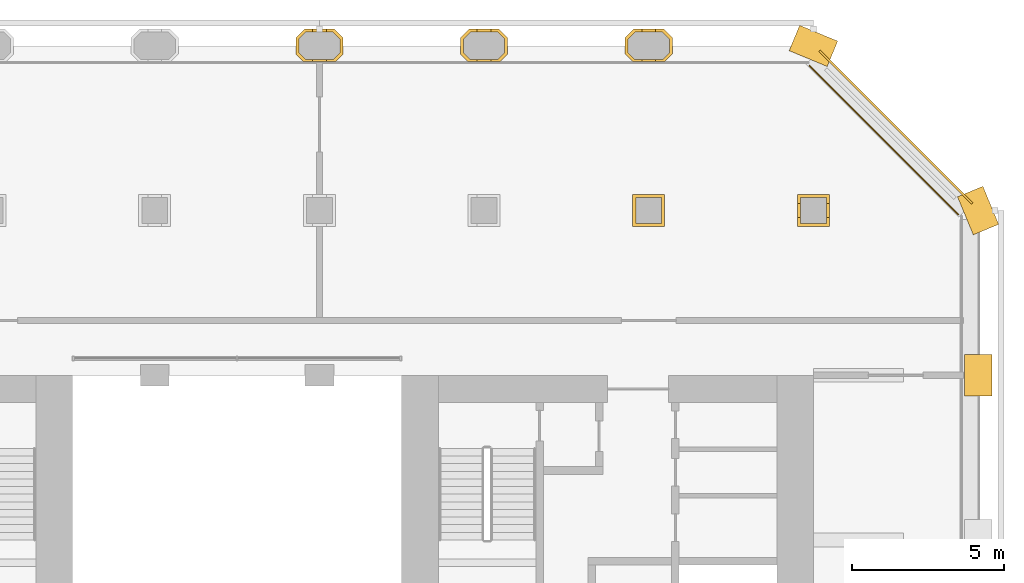
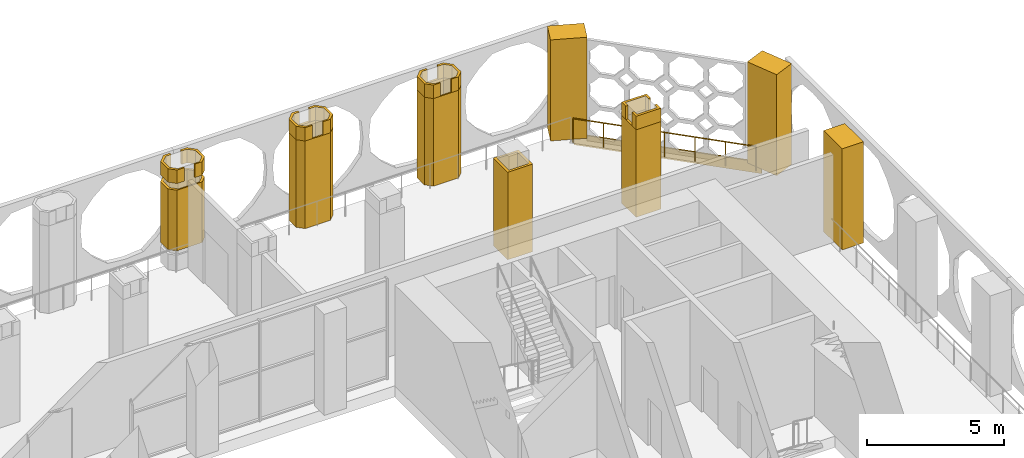
# One storey, part 14 of 14: 17 coverings, 1 railing.
"""IFC4 building model written with IfcOpenShell, lengths in metres."""

import ifcopenshell
import ifcopenshell.guid

model = None  # the IFC model being written
_history = None  # IfcOwnerHistory: only IFC2X3 demands one
_inside = {}  # id of a spatial element -> (the spatial element, [elements in it])
_under = {}  # id of a project, library or spatial element -> (it, [spatial elements below it])
_declared = {}  # id of a project -> (the project, [libraries it declares])
_typed = {}  # id of a type object -> (the type object, [elements of that type])
_made_of = {}  # id of a material, layer set ... -> (it, [elements and type objects made of it])


def new_model(schema):
    """Start an empty IFC model of exactly this schema.

    Asked for "IFC4X3", IfcOpenShell would pick the latest addendum, in which some entities
    have other attributes; the version numbers below select the first issue.
    IFC2X3 requires an IfcOwnerHistory on every rooted entity: one is made here for all.
    """
    global model, _history
    if schema == "IFC4X3":
        model = ifcopenshell.file(schema_version=(4, 3, 0, 0))
    else:
        model = ifcopenshell.file(schema=schema)
    _inside.clear()
    _under.clear()
    _declared.clear()
    _typed.clear()
    _made_of.clear()
    _history = None
    if model.schema == "IFC2X3":
        org = make("IfcOrganization", Name="unknown")
        user = make(
            "IfcPersonAndOrganization",
            ThePerson=make("IfcPerson", FamilyName="unknown"),
            TheOrganization=org,
        )
        app = make(
            "IfcApplication",
            ApplicationDeveloper=org,
            Version="unknown",
            ApplicationFullName="unknown",
            ApplicationIdentifier="unknown",
        )
        _history = make(
            "IfcOwnerHistory",
            OwningUser=user,
            OwningApplication=app,
            ChangeAction="ADDED",
            CreationDate=0,
        )
    return model


def make(cls, **values):
    """One entity of the class cls with the attributes given. An attribute that is None is left unset."""
    return model.create_entity(
        cls, **{name: value for name, value in values.items() if value is not None}
    )


def rooted(cls, **values):
    """An entity with a GlobalId (a new one), such as an element, a storey or a relation."""
    return make(cls, GlobalId=ifcopenshell.guid.new(), OwnerHistory=_history, **values)


def si_unit(unit_type, name, prefix=None):
    """IfcSIUnit, for example si_unit("LENGTHUNIT", "METRE", prefix="MILLI")."""
    return make("IfcSIUnit", UnitType=unit_type, Prefix=prefix, Name=name)


def assignment(units):
    """IfcUnitAssignment: the units of a project."""
    return None if units is None else make("IfcUnitAssignment", Units=units)


def point(xyz):
    """IfcCartesianPoint."""
    return None if xyz is None else make("IfcCartesianPoint", Coordinates=xyz)


def direction(xyz):
    """IfcDirection."""
    return None if xyz is None else make("IfcDirection", DirectionRatios=xyz)


def frame(location, z_axis=None, x_axis=None):
    """IfcAxis2Placement3D, a coordinate frame: its origin and axes. An axis left out is left unset."""
    return make(
        "IfcAxis2Placement3D",
        Location=point(location),
        Axis=direction(z_axis),
        RefDirection=direction(x_axis),
    )


def frame_2d(location, x_axis=None):
    """IfcAxis2Placement2D, a coordinate frame in the plane: its origin and x axis."""
    return make(
        "IfcAxis2Placement2D", Location=point(location), RefDirection=direction(x_axis)
    )


def origin():
    """The frame at (0, 0, 0) with its axes left unset."""
    return frame((0.0, 0.0, 0.0))


def origin_2d():
    """The frame at (0, 0) in the plane with its x axis left unset."""
    return frame_2d((0.0, 0.0))


def place(relative_to, where):
    """IfcLocalPlacement: puts the frame where relative to a parent placement (None: the world)."""
    return make(
        "IfcLocalPlacement", PlacementRelTo=relative_to, RelativePlacement=where
    )


def context(
    kind, dimensions, precision=None, world=None, true_north=None, identifier=None
):
    """IfcGeometricRepresentationContext, for example the 3D "Model" context."""
    return make(
        "IfcGeometricRepresentationContext",
        ContextIdentifier=identifier,
        ContextType=kind,
        CoordinateSpaceDimension=dimensions,
        Precision=precision,
        WorldCoordinateSystem=world,
        TrueNorth=true_north,
    )


def subcontext(parent, identifier, kind, view, scale=None):
    """IfcGeometricRepresentationSubContext, for example "Body" below "Model"."""
    return make(
        "IfcGeometricRepresentationSubContext",
        ContextIdentifier=identifier,
        ContextType=kind,
        ParentContext=parent,
        TargetScale=scale,
        TargetView=view,
    )


def project(units=None, contexts=None):
    """IfcProject with its units and contexts."""
    return rooted(
        "IfcProject",
        Name="project",
        RepresentationContexts=contexts,
        UnitsInContext=assignment(units),
    )


def spatial(cls, under=None, at=None, **own):
    """A site, building, storey or space (cls), placed at a placement, below another one or the project."""
    s = rooted(cls, ObjectPlacement=at, **own)
    if under is not None:
        _under.setdefault(under.id(), (under, []))[1].append(s)
    return s


def polyline(points):
    """IfcPolyline through the points."""
    return make("IfcPolyline", Points=[point(p) for p in points])


def profile(cls, at=None, kind="AREA", **sizes):
    """A parametric profile (cls). Its sizes go by their IFC names, for example OverallWidth=200.0."""
    return make(cls, ProfileType=kind, Position=at, **sizes)


def rectangle(**sizes):
    """IfcRectangleProfileDef."""
    return profile("IfcRectangleProfileDef", **sizes)


def circle(**sizes):
    """IfcCircleProfileDef."""
    return profile("IfcCircleProfileDef", **sizes)


def outline(outer, holes=None, kind="AREA"):
    """IfcArbitraryClosedProfileDef: a profile drawn as a closed curve; with holes, ...WithVoids."""
    if holes is None:
        return make("IfcArbitraryClosedProfileDef", ProfileType=kind, OuterCurve=outer)
    return make(
        "IfcArbitraryProfileDefWithVoids",
        ProfileType=kind,
        OuterCurve=outer,
        InnerCurves=holes,
    )


def extrude(swept, where, along, depth):
    """IfcExtrudedAreaSolid: the profile swept, set in the frame where, extruded along a direction by depth."""
    return make(
        "IfcExtrudedAreaSolid",
        SweptArea=swept,
        Position=where,
        ExtrudedDirection=direction(along),
        Depth=depth,
    )


def shape(context_of_items, identifier, shape_type, items):
    """IfcShapeRepresentation: the items that make up one representation, for example the "Body"."""
    return make(
        "IfcShapeRepresentation",
        ContextOfItems=context_of_items,
        RepresentationIdentifier=identifier,
        RepresentationType=shape_type,
        Items=items,
    )


def material(Name=None, Category=None):
    """IfcMaterial."""
    return make("IfcMaterial", Name=Name, Category=Category)


def layer(
    of_material, thickness, ventilated=None, Name=None, Category=None, Priority=None
):
    """IfcMaterialLayer: one layer of a wall or slab, of a material (None: an air gap)."""
    return make(
        "IfcMaterialLayer",
        Material=of_material,
        LayerThickness=thickness,
        IsVentilated=ventilated,
        Name=Name,
        Category=Category,
        Priority=Priority,
    )


def layer_set(layers, Name=None):
    """IfcMaterialLayerSet."""
    return make("IfcMaterialLayerSet", MaterialLayers=layers, LayerSetName=Name)


def made_of(thing, what):
    """Note that an element or type object is made of a material, layer set ...; save() writes the relation."""
    if what is not None:
        _made_of.setdefault(what.id(), (what, []))[1].append(thing)
    return thing


def type_object(cls, material=None, **own):
    """A type object (cls), such as IfcWallType, which elements share."""
    return made_of(rooted(cls, **own), material)


def element(
    cls,
    number,
    at=None,
    inside=None,
    cuts=None,
    type_object=None,
    material=None,
    context=None,
    identifier="Body",
    shape_type=None,
    held_by="IfcProductDefinitionShape",
    body=None,
    shapes=None,
    **own,
):
    """One element of the class cls, such as IfcWall. Its Tag is "e" and its number.

    at: its placement. inside: the storey or other place that contains it. cuts: it is an
    opening in that element (IfcRelVoidsElement). A single representation is given by context,
    identifier, shape_type and body (its items); several are given by shapes. held_by: the class
    of the entity that holds the representations. save() writes the other relations.
    """
    e = rooted(cls, Tag="e%d" % number, ObjectPlacement=at, **own)
    if body is not None:
        shapes = [shape(context, identifier, shape_type, body)]
    if shapes is not None:
        e.Representation = make(held_by, Representations=shapes)
    if inside is not None:
        _inside.setdefault(inside.id(), (inside, []))[1].append(e)
    if cuts is not None:
        rooted(
            "IfcRelVoidsElement", RelatingBuildingElement=cuts, RelatedOpeningElement=e
        )
    if type_object is not None:
        _typed.setdefault(type_object.id(), (type_object, []))[1].append(e)
    return made_of(e, material)


def aggregate(whole, parts):
    """IfcRelAggregates: a whole, such as a stair, and the parts it consists of."""
    return rooted("IfcRelAggregates", RelatingObject=whole, RelatedObjects=parts)


def save(model, path):
    """Write the relations noted so far, then the file.

    IfcRelAggregates (storeys below a building ...), IfcRelContainedInSpatialStructure (elements
    in a storey), IfcRelDefinesByType, IfcRelAssociatesMaterial and IfcRelDeclares: one each for
    every whole, place, type object, material and project.
    """
    for whole, parts in _under.values():
        aggregate(whole, parts)
    for where, things in _inside.values():
        rooted(
            "IfcRelContainedInSpatialStructure",
            RelatedElements=things,
            RelatingStructure=where,
        )
    for kind, things in _typed.values():
        rooted("IfcRelDefinesByType", RelatedObjects=things, RelatingType=kind)
    for what, things in _made_of.values():
        rooted("IfcRelAssociatesMaterial", RelatedObjects=things, RelatingMaterial=what)
    for by, libraries in _declared.values():
        rooted("IfcRelDeclares", RelatingContext=by, RelatedDefinitions=libraries)
    model.write(path)


model = new_model("IFC4")

# Units and contexts
model_context = context("Model", 3, precision=1e-05, world=origin(), true_north=direction((0.0, 1.0)))
body_context = subcontext(model_context, "Body", "Model", "MODEL_VIEW")
ifc_project = project(units=[si_unit("LENGTHUNIT", "METRE"), si_unit("AREAUNIT", "SQUARE_METRE"), si_unit("VOLUMEUNIT", "CUBIC_METRE"), si_unit("PLANEANGLEUNIT", "RADIAN"), si_unit("MASSUNIT", "GRAM", prefix="KILO")], contexts=[model_context])

# Site, building, storey
site_placement = place(None, origin())
site = spatial("IfcSite", under=ifc_project, at=site_placement, CompositionType="ELEMENT")
building_placement = place(site_placement, origin())
building = spatial("IfcBuilding", under=site, at=building_placement, Name="Tabaq Tower and Sports Hall", CompositionType="ELEMENT")
storey_placement = place(building_placement, frame((0.0, 0.0, 175.89990234375)))
storey = spatial("IfcBuildingStorey", under=building, at=storey_placement, Name="L42", CompositionType="ELEMENT", Elevation=175.89990234375)

# Coverings
ifc_material_1 = material(Name="Precast concrete C60/75", Category="concrete")
ifc_layer_1 = layer(ifc_material_1, 0.10009765625)
ifc_layer_set_1 = layer_set([ifc_layer_1], Name="Column cladding 100")
covering_type_1 = type_object("IfcCoveringType", Name="Column cladding 100", PredefinedType="CLADDING", material=ifc_layer_set_1)
covering_1_placement = place(storey_placement, frame((0.0, 0.0, 0.900146484375)))
element("IfcCovering", 1, at=covering_1_placement, inside=storey, type_object=covering_type_1, Name="Column cladding L42 PC-6I-H1 2", PredefinedType="CLADDING", context=body_context, shape_type="SweptSolid", body=[
    extrude(outline(polyline([(26.225341796875, 43.46630859375), (26.5087890625, 43.749755859375), (27.4912109375, 43.749755859375), (27.774658203125, 43.46630859375), (27.774658203125, 42.93359375), (27.53125, 42.690185546875), (26.46875, 42.690185546875), (26.225341796875, 42.93359375), (26.225341796875, 43.46630859375)]), holes=[polyline([(27.67529296875, 42.974853515625), (27.67529296875, 43.425048828125), (27.4501953125, 43.650390625), (26.5498046875, 43.650390625), (26.32470703125, 43.425048828125), (26.32470703125, 42.974853515625), (26.5498046875, 42.749755859375), (27.4501953125, 42.749755859375), (27.67529296875, 42.974853515625)])]), origin(), (0.0, 0.0, 1.0), 2.699951171875),
])
covering_2_placement = place(storey_placement, frame((0.0, 0.0, 3.900146484375)))
element("IfcCovering", 2, at=covering_2_placement, inside=storey, type_object=covering_type_1, Name="Column cladding L42 PC-6I-H1 head", PredefinedType="CLADDING", context=body_context, shape_type="SweptSolid", body=[
    extrude(outline(polyline([(26.5087890625, 43.749755859375), (26.774658203125, 43.749755859375), (26.774658203125, 43.650390625), (26.5498046875, 43.650390625), (26.32470703125, 43.425048828125), (26.32470703125, 42.974853515625), (26.5498046875, 42.749755859375), (26.774658203125, 42.749755859375), (26.774658203125, 42.690185546875), (26.46875, 42.690185546875), (26.225341796875, 42.93359375), (26.225341796875, 43.46630859375), (26.5087890625, 43.749755859375)])), origin(), (0.0, 0.0, 1.0), 0.599853515625),
])
covering_3_placement = place(storey_placement, frame((0.0, 0.0, 3.900146484375)))
element("IfcCovering", 3, at=covering_3_placement, inside=storey, type_object=covering_type_1, Name="Column cladding L42 PC-6I-H1 head 2", PredefinedType="CLADDING", context=body_context, shape_type="SweptSolid", body=[
    extrude(outline(polyline([(27.4912109375, 43.749755859375), (27.774658203125, 43.46630859375), (27.774658203125, 42.93359375), (27.53125, 42.690185546875), (27.225341796875, 42.690185546875), (27.225341796875, 42.749755859375), (27.4501953125, 42.749755859375), (27.67529296875, 42.974853515625), (27.67529296875, 43.425048828125), (27.4501953125, 43.650390625), (27.225341796875, 43.650390625), (27.225341796875, 43.749755859375), (27.4912109375, 43.749755859375)])), origin(), (0.0, 0.0, 1.0), 0.599853515625),
])
covering_4_placement = place(storey_placement, origin())
element("IfcCovering", 4, at=covering_4_placement, inside=storey, type_object=covering_type_1, Name="Column cladding L42 PC-7I-H1", PredefinedType="CLADDING", context=body_context, shape_type="SweptSolid", body=[
    extrude(outline(polyline([(31.625244140625, 43.46630859375), (31.90869140625, 43.749755859375), (32.891357421875, 43.749755859375), (33.1748046875, 43.46630859375), (33.1748046875, 42.93359375), (32.931396484375, 42.690185546875), (31.86865234375, 42.690185546875), (31.625244140625, 42.93359375), (31.625244140625, 43.46630859375)]), holes=[polyline([(33.0751953125, 42.974853515625), (33.0751953125, 43.425048828125), (32.85009765625, 43.650390625), (31.949951171875, 43.650390625), (31.724609375, 43.425048828125), (31.724609375, 42.974853515625), (31.949951171875, 42.749755859375), (32.85009765625, 42.749755859375), (33.0751953125, 42.974853515625)])]), origin(), (0.0, 0.0, 1.0), 3.900146484375),
])
covering_5_placement = place(storey_placement, frame((0.0, 0.0, 3.900146484375)))
element("IfcCovering", 5, at=covering_5_placement, inside=storey, type_object=covering_type_1, Name="Column cladding L42 PC-7I-H1 head", PredefinedType="CLADDING", context=body_context, shape_type="SweptSolid", body=[
    extrude(outline(polyline([(31.90869140625, 43.749755859375), (32.1748046875, 43.749755859375), (32.1748046875, 43.650390625), (31.949951171875, 43.650390625), (31.724609375, 43.425048828125), (31.724609375, 42.974853515625), (31.949951171875, 42.749755859375), (32.1748046875, 42.749755859375), (32.1748046875, 42.690185546875), (31.86865234375, 42.690185546875), (31.625244140625, 42.93359375), (31.625244140625, 43.46630859375), (31.90869140625, 43.749755859375)])), origin(), (0.0, 0.0, 1.0), 0.599853515625),
])
covering_6_placement = place(storey_placement, frame((0.0, 0.0, 3.900146484375)))
element("IfcCovering", 6, at=covering_6_placement, inside=storey, type_object=covering_type_1, Name="Column cladding L42 PC-7I-H1 head 2", PredefinedType="CLADDING", context=body_context, shape_type="SweptSolid", body=[
    extrude(outline(polyline([(32.891357421875, 43.749755859375), (33.1748046875, 43.46630859375), (33.1748046875, 42.93359375), (32.931396484375, 42.690185546875), (32.625244140625, 42.690185546875), (32.625244140625, 42.749755859375), (32.85009765625, 42.749755859375), (33.0751953125, 42.974853515625), (33.0751953125, 43.425048828125), (32.85009765625, 43.650390625), (32.625244140625, 43.650390625), (32.625244140625, 43.749755859375), (32.891357421875, 43.749755859375)])), origin(), (0.0, 0.0, 1.0), 0.599853515625),
])
covering_7_placement = place(storey_placement, origin())
element("IfcCovering", 7, at=covering_7_placement, inside=storey, type_object=covering_type_1, Name="Column cladding L42 CC-8H-H1", PredefinedType="CLADDING", context=body_context, shape_type="SweptSolid", body=[
    extrude(outline(polyline([(37.275390625, 38.32470703125), (38.32470703125, 38.32470703125), (38.32470703125, 37.275390625), (37.275390625, 37.275390625), (37.275390625, 38.32470703125)]), holes=[polyline([(38.225341796875, 37.374755859375), (38.225341796875, 38.225341796875), (37.374755859375, 38.225341796875), (37.374755859375, 37.374755859375), (38.225341796875, 37.374755859375)])]), origin(), (0.0, 0.0, 1.0), 3.900146484375),
])
covering_8_placement = place(storey_placement, origin())
element("IfcCovering", 8, at=covering_8_placement, inside=storey, type_object=covering_type_1, Name="Column cladding L42 PC-8I-H1", PredefinedType="CLADDING", context=body_context, shape_type="SweptSolid", body=[
    extrude(outline(polyline([(37.025390625, 43.46630859375), (37.30859375, 43.749755859375), (38.291259765625, 43.749755859375), (38.57470703125, 43.46630859375), (38.57470703125, 42.93359375), (38.331298828125, 42.690185546875), (37.268798828125, 42.690185546875), (37.025390625, 42.93359375), (37.025390625, 43.46630859375)]), holes=[polyline([(38.475341796875, 42.974853515625), (38.475341796875, 43.425048828125), (38.250244140625, 43.650390625), (37.349853515625, 43.650390625), (37.124755859375, 43.425048828125), (37.124755859375, 42.974853515625), (37.349853515625, 42.749755859375), (38.250244140625, 42.749755859375), (38.475341796875, 42.974853515625)])]), origin(), (0.0, 0.0, 1.0), 3.900146484375),
])
covering_9_placement = place(storey_placement, frame((0.0, 0.0, 3.900146484375)))
element("IfcCovering", 9, at=covering_9_placement, inside=storey, type_object=covering_type_1, Name="Column cladding L42 PC-8I-H1 head", PredefinedType="CLADDING", context=body_context, shape_type="SweptSolid", body=[
    extrude(outline(polyline([(38.291259765625, 43.749755859375), (38.57470703125, 43.46630859375), (38.57470703125, 42.93359375), (38.331298828125, 42.690185546875), (38.025390625, 42.690185546875), (38.025390625, 42.749755859375), (38.250244140625, 42.749755859375), (38.475341796875, 42.974853515625), (38.475341796875, 43.425048828125), (38.250244140625, 43.650390625), (38.025390625, 43.650390625), (38.025390625, 43.749755859375), (38.291259765625, 43.749755859375)])), origin(), (0.0, 0.0, 1.0), 0.599853515625),
])
covering_10_placement = place(storey_placement, frame((0.0, 0.0, 3.900146484375)))
element("IfcCovering", 10, at=covering_10_placement, inside=storey, type_object=covering_type_1, Name="Column cladding L42 PC-8I-H1 head 2", PredefinedType="CLADDING", context=body_context, shape_type="SweptSolid", body=[
    extrude(outline(polyline([(37.30859375, 43.749755859375), (37.57470703125, 43.749755859375), (37.57470703125, 43.650390625), (37.349853515625, 43.650390625), (37.124755859375, 43.425048828125), (37.124755859375, 42.974853515625), (37.349853515625, 42.749755859375), (37.57470703125, 42.749755859375), (37.57470703125, 42.690185546875), (37.268798828125, 42.690185546875), (37.025390625, 42.93359375), (37.025390625, 43.46630859375), (37.30859375, 43.749755859375)])), origin(), (0.0, 0.0, 1.0), 0.599853515625),
])
covering_11_placement = place(storey_placement, origin())
element("IfcCovering", 11, at=covering_11_placement, inside=storey, type_object=covering_type_1, Name="Column cladding L42 CC-9H-H1", PredefinedType="CLADDING", context=body_context, shape_type="SweptSolid", body=[
    extrude(outline(polyline([(42.67529296875, 38.32470703125), (43.724609375, 38.32470703125), (43.724609375, 37.275390625), (42.67529296875, 37.275390625), (42.67529296875, 38.32470703125)]), holes=[polyline([(43.625244140625, 37.374755859375), (43.625244140625, 38.225341796875), (42.774658203125, 38.225341796875), (42.774658203125, 37.374755859375), (43.625244140625, 37.374755859375)])]), origin(), (0.0, 0.0, 1.0), 3.900146484375),
])
covering_12_placement = place(storey_placement, frame((0.0, 0.0, 3.900146484375)))
element("IfcCovering", 12, at=covering_12_placement, inside=storey, type_object=covering_type_1, Name="Column cladding L42 CC-9H-H1 head", PredefinedType="CLADDING", context=body_context, shape_type="SweptSolid", body=[
    extrude(outline(polyline([(42.7744140625, 38.025634765625), (42.675537109375, 38.025634765625), (42.675537109375, 38.324462890625), (43.724365234375, 38.324462890625), (43.724365234375, 38.025634765625), (43.62548828125, 38.025634765625), (43.62548828125, 38.2255859375), (42.7744140625, 38.2255859375), (42.7744140625, 38.025634765625)])), origin(), (0.0, 0.0, 1.0), 0.599853515625),
])
covering_13_placement = place(storey_placement, frame((0.0, 0.0, 3.900146484375)))
element("IfcCovering", 13, at=covering_13_placement, inside=storey, type_object=covering_type_1, Name="Column cladding L42 CC-9H-H1 head 2", PredefinedType="CLADDING", context=body_context, shape_type="SweptSolid", body=[
    extrude(outline(polyline([(42.7744140625, 37.574462890625), (42.7744140625, 37.37451171875), (43.62548828125, 37.37451171875), (43.62548828125, 37.574462890625), (43.724365234375, 37.574462890625), (43.724365234375, 37.275634765625), (42.675537109375, 37.275634765625), (42.675537109375, 37.574462890625), (42.7744140625, 37.574462890625)])), origin(), (0.0, 0.0, 1.0), 0.599853515625),
])
ifc_material_2 = material(Name="Precast concrete C60/75", Category="concrete")
ifc_layer_2 = layer(ifc_material_2, 0.06005859375)
ifc_layer_set_2 = layer_set([ifc_layer_2], Name="Edge beam cladding 60")
covering_type_2 = type_object("IfcCoveringType", Name="Edge beam cladding 60", PredefinedType="CLADDING", material=ifc_layer_set_2)
covering_14_placement = place(storey_placement, frame((48.41015625, 38.0322265625, -0.5), z_axis=(0.0, 0.0, 1.0), x_axis=(-0.707106781187, 0.707106781187, 0.0)))
element("IfcCovering", 14, at=covering_14_placement, inside=storey, type_object=covering_type_2, Name="Edge beam cladding L42 4", PredefinedType="CLADDING", context=body_context, shape_type="SweptSolid", body=[
    extrude(rectangle(XDim=7.08837890625, YDim=0.06005859375, at=frame_2d((3.544189453125, 0.0))), origin(), (0.0, 0.0, 1.0), 0.5),
])

# Railing
ifc_material_3 = material(Name="Stainless steel S316 and laminated glass", Category="steel")
railing_type = type_object("IfcRailingType", Name="Guard 1100 steel and glass", PredefinedType="GUARDRAIL", material=ifc_material_3)
railing_placement = place(storey_placement, frame((47.950927734375, 37.671142578125, 0.0)))
element("IfcRailing", 15, at=railing_placement, inside=storey, type_object=railing_type, Name="Guard L42 NE", PredefinedType="GUARDRAIL", context=body_context, shape_type="SweptSolid", body=[
    extrude(circle(Radius=0.02490234375, at=origin_2d()), frame((0.0, 0.0, 1.0751953125), z_axis=(-0.70708909224, 0.70712446969, 0.0), x_axis=(-0.70712446969, -0.70708909224, 0.0)), (0.0, 0.0, 1.0), 6.901123046875),
    extrude(circle(Radius=0.02001953125, at=origin_2d()), origin(), (0.0, 0.0, 1.0), 1.050048828125),
    extrude(circle(Radius=0.02001953125, at=origin_2d()), frame((-0.813232421875, 0.813232421875, 0.0)), (0.0, 0.0, 1.0), 1.050048828125),
    extrude(circle(Radius=0.02001953125, at=origin_2d()), frame((-1.62646484375, 1.626708984375, 0.0)), (0.0, 0.0, 1.0), 1.050048828125),
    extrude(circle(Radius=0.02001953125, at=origin_2d()), frame((-2.43994140625, 2.43994140625, 0.0)), (0.0, 0.0, 1.0), 1.050048828125),
    extrude(circle(Radius=0.02001953125, at=origin_2d()), frame((-3.253173828125, 3.253173828125, 0.0)), (0.0, 0.0, 1.0), 1.050048828125),
    extrude(circle(Radius=0.02001953125, at=origin_2d()), frame((-4.06640625, 4.066650390625, 0.0)), (0.0, 0.0, 1.0), 1.050048828125),
    extrude(circle(Radius=0.02001953125, at=origin_2d()), frame((-4.879638671875, 4.8798828125, 0.0)), (0.0, 0.0, 1.0), 1.050048828125),
])

# Coverings
ifc_material_4 = material(Name="White precast concrete C60/75", Category="concrete")
covering_type_3 = type_object("IfcCoveringType", Name="Pier cladding hung 1350x900", PredefinedType="CLADDING", material=ifc_material_4)
covering_15_placement = place(storey_placement, frame((43.82373046875, 42.941650390625, 0.0), z_axis=(0.0, 0.0, 1.0), x_axis=(-0.923893411637, 0.382649923473, 0.0)))
element("IfcCovering", 16, at=covering_15_placement, inside=storey, type_object=covering_type_3, Name="Hung pier cladding 8/8", PredefinedType="CLADDING", context=body_context, shape_type="SweptSolid", body=[
    extrude(rectangle(XDim=1.35009765625, YDim=0.89990234375, at=frame_2d((0.675048828125, 0.0))), origin(), (0.0, 0.0, 1.0), 4.5),
])
covering_16_placement = place(storey_placement, frame((48.60009765625, 31.72509765625, 0.0), z_axis=(0.0, 0.0, 1.0), x_axis=(0.0, 1.0, 0.0)))
element("IfcCovering", 17, at=covering_16_placement, inside=storey, type_object=covering_type_3, Name="Hung pier cladding 9/6", PredefinedType="CLADDING", context=body_context, shape_type="SweptSolid", body=[
    extrude(rectangle(XDim=1.349853515625, YDim=0.89990234375, at=frame_2d((0.6748046875, 0.0))), origin(), (0.0, 0.0, 1.0), 4.5),
])
covering_17_placement = place(storey_placement, frame((48.8583984375, 37.17626953125, 0.0), z_axis=(0.0, 0.0, 1.0), x_axis=(-0.382649923473, 0.923893411637, 0.0)))
element("IfcCovering", 18, at=covering_17_placement, inside=storey, type_object=covering_type_3, Name="Hung pier cladding 9/7", PredefinedType="CLADDING", context=body_context, shape_type="SweptSolid", body=[
    extrude(rectangle(XDim=1.35009765625, YDim=0.89990234375, at=frame_2d((0.675048828125, 0.0))), origin(), (0.0, 0.0, 1.0), 4.5),
])

save(model, "model.ifc")
